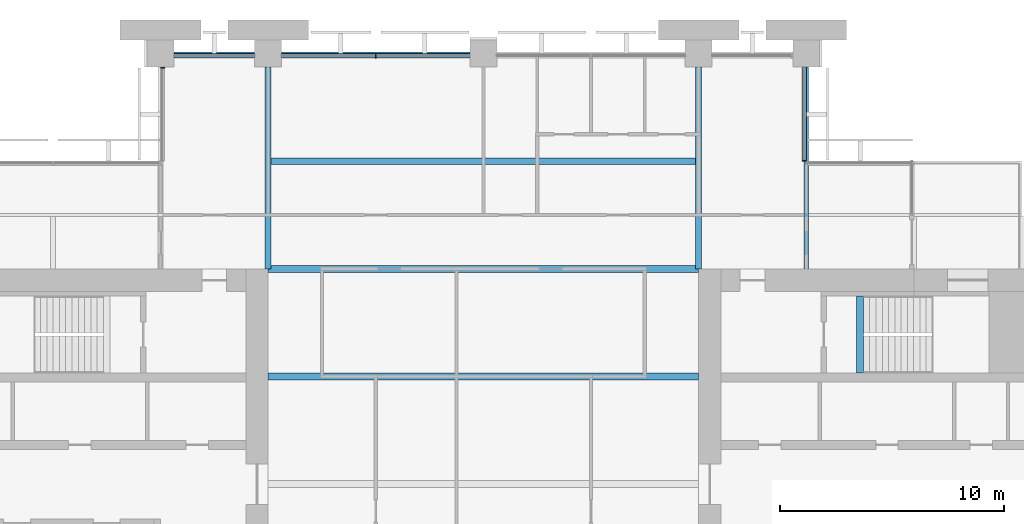
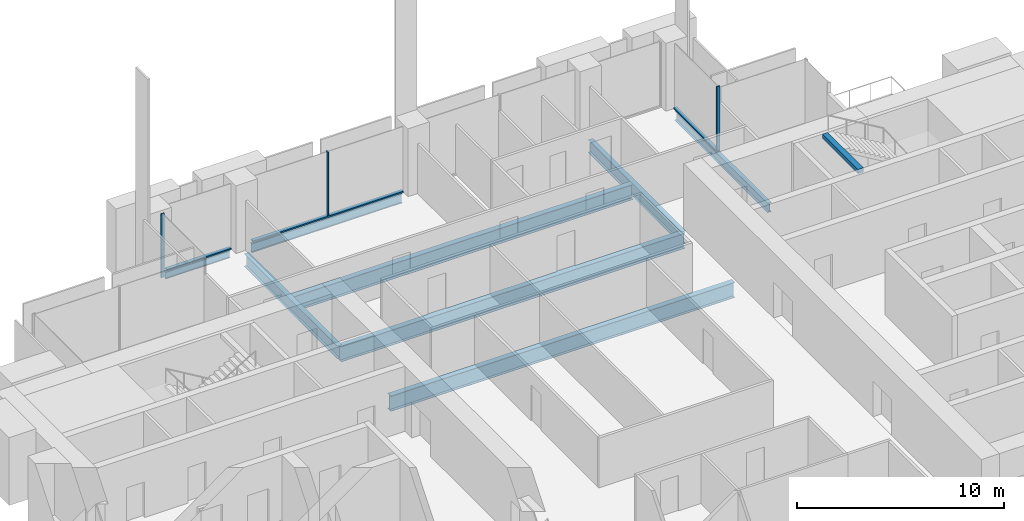
# One storey, part 6 of 14: 9 beams, 6 members, 3 elements without a shape of their own.
"""IFC4 building model written with IfcOpenShell, lengths in metres."""

from ifc_helpers import new_model, si_unit, direction, frame, origin, origin_2d, place, context, subcontext, project, spatial, rectangle, i_section, extrude, material, material_profile, profile_set, type_object, element, aggregate, save


model = new_model("IFC4")

# Units and contexts
model_context = context("Model", 3, precision=1e-05, world=origin(), true_north=direction((0.0, 1.0)))
body_context = subcontext(model_context, "Body", "Model", "MODEL_VIEW")
ifc_project = project(units=[si_unit("LENGTHUNIT", "METRE"), si_unit("AREAUNIT", "SQUARE_METRE"), si_unit("VOLUMEUNIT", "CUBIC_METRE"), si_unit("PLANEANGLEUNIT", "RADIAN"), si_unit("MASSUNIT", "GRAM", prefix="KILO")], contexts=[model_context])

# Site, building, storey
site_placement = place(None, origin())
site = spatial("IfcSite", under=ifc_project, at=site_placement, CompositionType="ELEMENT")
building_placement = place(site_placement, origin())
building = spatial("IfcBuilding", under=site, at=building_placement, Name="Baori Bourse Tower", CompositionType="ELEMENT")
storey_placement = place(building_placement, frame((0.0, 0.0, 144.10009765625)))
storey = spatial("IfcBuildingStorey", under=building, at=storey_placement, Name="L31", CompositionType="ELEMENT", Elevation=144.10009765625)

# Curtain wall, members
ifc_material_1 = material(Name="Pale anodised aluminium", Category="aluminium")
curtain_wall_type_1 = type_object("IfcCurtainWallType", Name="CW1 Curtain wall", PredefinedType="NOTDEFINED", material=ifc_material_1)
curtain_wall_1_placement = place(storey_placement, origin())
curtain_wall_1 = element("IfcCurtainWall", 1, at=curtain_wall_1_placement, inside=storey, type_object=curtain_wall_type_1, Name="Curtain wall CW1 L31 4", PredefinedType="NOTDEFINED")
ifc_material_2 = material(Name="Pale anodised aluminium", Category="aluminium")
ifc_material_profile_1 = material_profile(ifc_material_2, rectangle(XDim=0.199951171875, YDim=0.06005859375, at=origin_2d()), Name="Mullion 60x200")
ifc_profile_set_1 = profile_set([ifc_material_profile_1], Name="Pale anodised aluminium")
member_type_1 = type_object("IfcMemberType", Name="CW1 Curtain wall mullion", PredefinedType="MULLION", material=ifc_profile_set_1)
member_1_placement = place(storey_placement, frame((24.0, 47.89990234375, 0.079833984375), z_axis=(0.0, 0.0, 1.0), x_axis=(0.0, -1.0, 0.0)))
member_1 = element("IfcMember", 2, at=member_1_placement, type_object=member_type_1, Name="Curtain wall CW1 mullion", PredefinedType="MULLION", context=body_context, shape_type="SweptSolid", body=[
    extrude(rectangle(XDim=0.199951171875, YDim=0.06005859375, at=origin_2d()), origin(), (0.0, 0.0, 1.0), 3.760009765625),
])
ifc_material_3 = material(Name="Pale anodised aluminium", Category="aluminium")
ifc_material_profile_2 = material_profile(ifc_material_3, rectangle(XDim=0.199951171875, YDim=0.080078125, at=origin_2d()), Name="Transom 80x200")
ifc_profile_set_2 = profile_set([ifc_material_profile_2], Name="Pale anodised aluminium")
member_type_2 = type_object("IfcMemberType", Name="CW1 Curtain wall transom", PredefinedType="USERDEFINED", material=ifc_profile_set_2)
member_2_placement = place(storey_placement, frame((28.199951171875, 47.89990234375, 0.039794921875), z_axis=(-1.0, 0.0, 0.0), x_axis=(0.0, -1.0, 0.0)))
member_2 = element("IfcMember", 3, at=member_2_placement, type_object=member_type_2, Name="Curtain wall CW1 sill rail", ObjectType="TRANSOM", PredefinedType="USERDEFINED", context=body_context, shape_type="SweptSolid", body=[
    extrude(rectangle(XDim=0.199951171875, YDim=0.080078125, at=origin_2d()), origin(), (0.0, 0.0, 1.0), 8.39990234375),
])
member_3_placement = place(storey_placement, frame((18.60009765625, 47.89990234375, 0.039794921875), z_axis=(-1.0, 0.0, 0.0), x_axis=(0.0, -1.0, 0.0)))
member_3 = element("IfcMember", 4, at=member_3_placement, type_object=member_type_2, Name="Curtain wall CW1 sill rail", ObjectType="TRANSOM", PredefinedType="USERDEFINED", context=body_context, shape_type="SweptSolid", body=[
    extrude(rectangle(XDim=0.199951171875, YDim=0.080078125, at=origin_2d()), origin(), (0.0, 0.0, 1.0), 3.60009765625),
])
aggregate(curtain_wall_1, [member_2, member_1, member_3])

# Curtain wall, member
ifc_material_4 = material(Name="Pale anodised aluminium", Category="aluminium")
curtain_wall_type_2 = type_object("IfcCurtainWallType", Name="CW2 Curtain wall", PredefinedType="NOTDEFINED", material=ifc_material_4)
curtain_wall_2_placement = place(storey_placement, origin())
curtain_wall_2 = element("IfcCurtainWall", 5, at=curtain_wall_2_placement, inside=storey, type_object=curtain_wall_type_2, Name="Curtain wall CW2 L31 3", PredefinedType="NOTDEFINED")
ifc_material_5 = material(Name="Pale anodised aluminium", Category="aluminium")
ifc_material_profile_3 = material_profile(ifc_material_5, rectangle(XDim=0.179931640625, YDim=0.054931640625, at=origin_2d()), Name="Mullion 55x180")
ifc_profile_set_3 = profile_set([ifc_material_profile_3], Name="Pale anodised aluminium")
member_type_3 = type_object("IfcMemberType", Name="CW2 Curtain wall mullion", PredefinedType="MULLION", material=ifc_profile_set_3)
member_4_placement = place(storey_placement, frame((43.110107421875, 43.2275390625, 0.06982421875), z_axis=(0.0, 0.0, 1.0), x_axis=(-1.0, 0.0, 0.0)))
member_4 = element("IfcMember", 6, at=member_4_placement, type_object=member_type_3, Name="Curtain wall CW2 mullion", PredefinedType="MULLION", context=body_context, shape_type="SweptSolid", body=[
    extrude(rectangle(XDim=0.179931640625, YDim=0.054931640625, at=origin_2d()), origin(), (0.0, 0.0, 1.0), 3.77001953125),
])

curtain_wall_3_placement = place(storey_placement, origin())
curtain_wall_3 = element("IfcCurtainWall", 7, at=curtain_wall_3_placement, inside=storey, type_object=curtain_wall_type_2, Name="Curtain wall CW2 L31 5", PredefinedType="NOTDEFINED")
member_5_placement = place(storey_placement, frame((14.489990234375, 47.37255859375, 0.06982421875), z_axis=(0.0, 0.0, 1.0), x_axis=(1.0, 0.0, 0.0)))
member_5 = element("IfcMember", 8, at=member_5_placement, type_object=member_type_3, Name="Curtain wall CW2 mullion", PredefinedType="MULLION", context=body_context, shape_type="SweptSolid", body=[
    extrude(rectangle(XDim=0.179931640625, YDim=0.054931640625, at=origin_2d()), origin(), (0.0, 0.0, 1.0), 3.77001953125),
])
aggregate(curtain_wall_3, [member_5])

# Member
ifc_material_6 = material(Name="Pale anodised aluminium", Category="aluminium")
ifc_material_profile_4 = material_profile(ifc_material_6, rectangle(XDim=0.179931640625, YDim=0.070068359375, at=origin_2d()), Name="Transom 70x180")
ifc_profile_set_4 = profile_set([ifc_material_profile_4], Name="Pale anodised aluminium")
member_type_4 = type_object("IfcMemberType", Name="CW2 Curtain wall transom", PredefinedType="USERDEFINED", material=ifc_profile_set_4)
member_6_placement = place(storey_placement, frame((43.110107421875, 43.199951171875, 0.034912109375), z_axis=(0.0, 1.0, 0.0), x_axis=(-1.0, 0.0, 0.0)))
member_6 = element("IfcMember", 9, at=member_6_placement, type_object=member_type_4, Name="Curtain wall CW2 sill rail", ObjectType="TRANSOM", PredefinedType="USERDEFINED", context=body_context, shape_type="SweptSolid", body=[
    extrude(rectangle(XDim=0.179931640625, YDim=0.070068359375, at=origin_2d()), origin(), (0.0, 0.0, 1.0), 4.199951171875),
])

aggregate(curtain_wall_2, [member_6, member_4])

# Beams
ifc_material_7 = material(Name="Steel A992 Gr 50", Category="steel")
ifc_material_profile_5 = material_profile(ifc_material_7, i_section(OverallWidth=0.140380859375, OverallDepth=0.40380859375, WebThickness=0.007080078125, FlangeThickness=0.01123046875, at=origin_2d()), Name="W16x31")
ifc_profile_set_5 = profile_set([ifc_material_profile_5], Name="Steel A992 Gr 50")
beam_type_1 = type_object("IfcBeamType", Name="Edge beam W16x31", PredefinedType="BEAM", material=ifc_profile_set_5)
beam_1_placement = place(storey_placement, frame((15.0, 48.0, -0.362060546875), z_axis=(1.0, 0.0, 0.0), x_axis=(0.0, 1.0, 0.0)))
element("IfcBeam", 10, at=beam_1_placement, inside=storey, type_object=beam_type_1, Name="Edge beam L31", PredefinedType="BEAM", context=body_context, shape_type="SweptSolid", body=[
    extrude(i_section(OverallWidth=0.140380859375, OverallDepth=0.40380859375, WebThickness=0.007080078125, FlangeThickness=0.01123046875, at=origin_2d()), origin(), (0.0, 0.0, 1.0), 3.60009765625),
])
ifc_material_8 = material(Name="Steel A992 Gr 50", Category="steel")
ifc_material_profile_6 = material_profile(ifc_material_8, i_section(OverallWidth=0.1650390625, OverallDepth=0.52587890625, WebThickness=0.0087890625, FlangeThickness=0.011474609375, at=origin_2d()), Name="W21x44")
ifc_profile_set_6 = profile_set([ifc_material_profile_6], Name="Steel A992 Gr 50")
beam_type_2 = type_object("IfcBeamType", Name="Edge beam W21x44", PredefinedType="BEAM", material=ifc_profile_set_6)
beam_2_placement = place(storey_placement, frame((19.800048828125, 48.0, -0.423095703125), z_axis=(1.0, 0.0, 0.0), x_axis=(0.0, 1.0, 0.0)))
element("IfcBeam", 11, at=beam_2_placement, inside=storey, type_object=beam_type_2, Name="Edge beam L31", PredefinedType="BEAM", context=body_context, shape_type="SweptSolid", body=[
    extrude(i_section(OverallWidth=0.1650390625, OverallDepth=0.52587890625, WebThickness=0.0087890625, FlangeThickness=0.011474609375, at=origin_2d()), origin(), (0.0, 0.0, 1.0), 8.39990234375),
])
ifc_material_9 = material(Name="Steel A992 Gr 50", Category="steel")
ifc_material_profile_7 = material_profile(ifc_material_9, i_section(OverallWidth=0.21240234375, OverallDepth=0.54345703125, WebThickness=0.01318359375, FlangeThickness=0.021240234375, at=origin_2d()), Name="W21x83")
ifc_profile_set_7 = profile_set([ifc_material_profile_7], Name="Steel A992 Gr 50")
beam_type_3 = type_object("IfcBeamType", Name="Floor beam W21x83", PredefinedType="BEAM", material=ifc_profile_set_7)
beam_3_placement = place(storey_placement, frame((43.199951171875, 38.39990234375, -0.431884765625), z_axis=(0.0, 1.0, 0.0), x_axis=(-1.0, 0.0, 0.0)))
element("IfcBeam", 12, at=beam_3_placement, inside=storey, type_object=beam_type_3, Name="Floor beam L31", PredefinedType="BEAM", context=body_context, shape_type="SweptSolid", body=[
    extrude(i_section(OverallWidth=0.21240234375, OverallDepth=0.54345703125, WebThickness=0.01318359375, FlangeThickness=0.021240234375, at=origin_2d()), origin(), (0.0, 0.0, 1.0), 9.0),
])
ifc_material_10 = material(Name="Steel A992 Gr 50", Category="steel")
ifc_material_profile_8 = material_profile(ifc_material_10, i_section(OverallWidth=0.3046875, OverallDepth=0.904296875, WebThickness=0.01513671875, FlangeThickness=0.02001953125, at=origin_2d()), Name="W36x135")
ifc_profile_set_8 = profile_set([ifc_material_profile_8], Name="Steel A992 Gr 50")
beam_type_4 = type_object("IfcBeamType", Name="Floor beam W36x135", PredefinedType="BEAM", material=ifc_profile_set_8)
for number, where, z_axis, x_axis, name in (
    (13, (19.199951171875, 33.60009765625, -0.6123046875), (1.0, 0.0, 0.0), (0.0, 1.0, 0.0), "Floor beam L31"),
    (14, (19.199951171875, 38.39990234375, -0.6123046875), (1.0, 0.0, 0.0), (0.0, 1.0, 0.0), "Floor beam L31"),
):
    element("IfcBeam", number, at=place(storey_placement, frame(where, z_axis=z_axis, x_axis=x_axis)), inside=storey, type_object=beam_type_4, Name=name, PredefinedType="BEAM", context=body_context, shape_type="SweptSolid", body=[
        extrude(i_section(OverallWidth=0.3046875, OverallDepth=0.904296875, WebThickness=0.01513671875, FlangeThickness=0.02001953125, at=origin_2d()), origin(), (0.0, 0.0, 1.0), 19.199951171875),
    ])
beam_4_placement = place(storey_placement, frame((19.33203125, 43.199951171875, -0.6123046875), z_axis=(1.0, 0.0, 0.0), x_axis=(0.0, 1.0, 0.0)))
element("IfcBeam", 15, at=beam_4_placement, inside=storey, type_object=beam_type_4, Name="Floor beam L31", PredefinedType="BEAM", context=body_context, shape_type="SweptSolid", body=[
    extrude(i_section(OverallWidth=0.3046875, OverallDepth=0.904296875, WebThickness=0.01513671875, FlangeThickness=0.02001953125, at=origin_2d()), origin(), (0.0, 0.0, 1.0), 18.935791015625),
])
ifc_material_11 = material(Name="Steel A992 Gr 50", Category="steel")
ifc_material_profile_9 = material_profile(ifc_material_11, i_section(OverallWidth=0.26416015625, OverallDepth=0.749267578125, WebThickness=0.011962890625, FlangeThickness=0.015380859375, at=origin_2d()), Name="W30x90")
ifc_profile_set_9 = profile_set([ifc_material_profile_9], Name="Steel A992 Gr 50")
beam_type_5 = type_object("IfcBeamType", Name="Girder W30x90", PredefinedType="BEAM", material=ifc_profile_set_9)
for number, where, z_axis, x_axis, name in (
    (16, (19.199951171875, 38.39990234375, -0.53466796875), (0.0, 1.0, 0.0), (-1.0, 0.0, 0.0), "Girder L31"),
    (17, (38.39990234375, 38.39990234375, -0.53466796875), (0.0, 1.0, 0.0), (-1.0, 0.0, 0.0), "Girder L31"),
):
    element("IfcBeam", number, at=place(storey_placement, frame(where, z_axis=z_axis, x_axis=x_axis)), inside=storey, type_object=beam_type_5, Name=name, PredefinedType="BEAM", context=body_context, shape_type="SweptSolid", body=[
        extrude(i_section(OverallWidth=0.26416015625, OverallDepth=0.749267578125, WebThickness=0.011962890625, FlangeThickness=0.015380859375, at=origin_2d()), origin(), (0.0, 0.0, 1.0), 9.0),
    ])
ifc_material_12 = material(Name="Concrete f'c 50 MPa", Category="concrete")
ifc_material_profile_10 = material_profile(ifc_material_12, rectangle(XDim=0.300048828125, YDim=0.25, at=origin_2d()), Name="RC 300x250")
ifc_profile_set_10 = profile_set([ifc_material_profile_10], Name="Concrete f'c 50 MPa")
beam_type_6 = type_object("IfcBeamType", Name="Stair nib beam RC 300x250", PredefinedType="BEAM", material=ifc_profile_set_10)
beam_5_placement = place(storey_placement, frame((45.60009765625, 33.75, 3.71484375), z_axis=(0.0, 1.0, 0.0), x_axis=(-1.0, 0.0, 0.0)))
element("IfcBeam", 18, at=beam_5_placement, inside=storey, type_object=beam_type_6, Name="Stair EB nib beam L32", PredefinedType="BEAM", context=body_context, shape_type="SweptSolid", body=[
    extrude(rectangle(XDim=0.300048828125, YDim=0.25, at=origin_2d()), origin(), (0.0, 0.0, 1.0), 3.449951171875),
])

save(model, "model.ifc")
